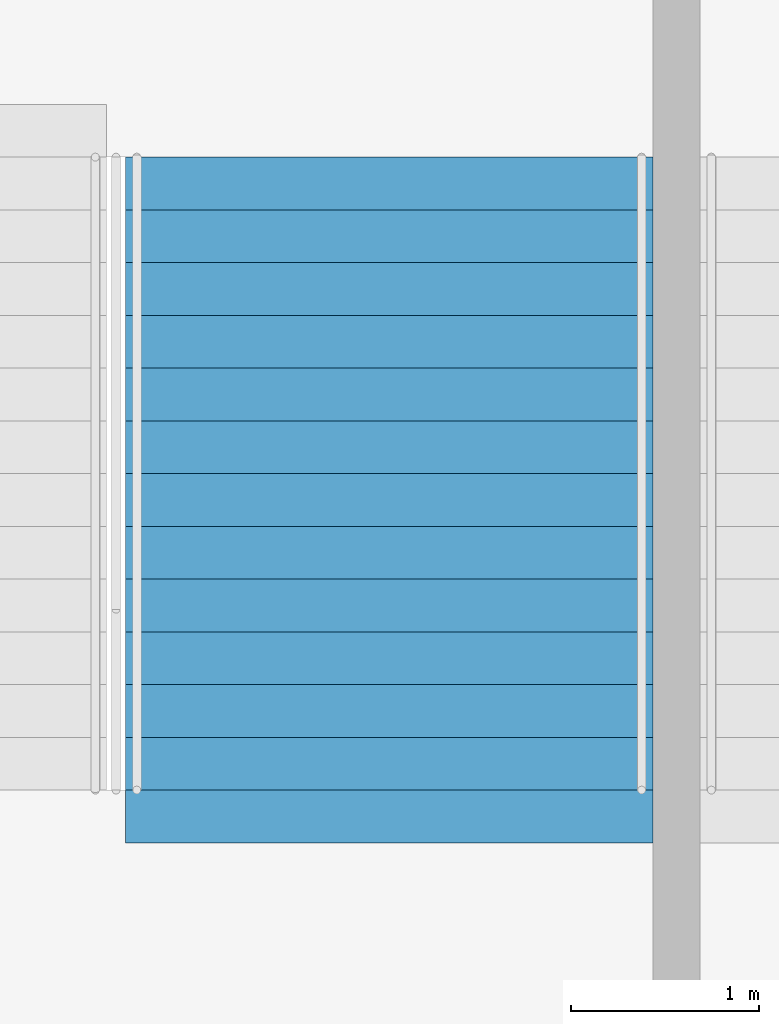
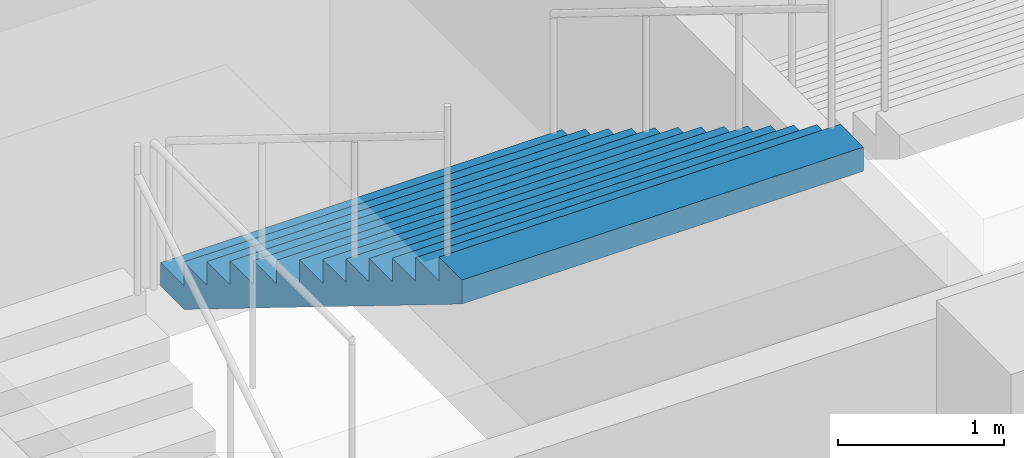
# One storey, part 145 of 177: 1 stair flight, 1 element without a shape of its own.
"""IFC4 building model written with IfcOpenShell, lengths in metres."""

from ifc_helpers import new_model, si_unit, direction, frame, origin, place, context, subcontext, project, spatial, faceted_brep, material, type_object, element, aggregate, save


model = new_model("IFC4")

# Units and contexts
model_context = context("Model", 3, precision=1e-05, world=origin(), true_north=direction((0.0, 1.0)))
body_context = subcontext(model_context, "Body", "Model", "MODEL_VIEW")
ifc_project = project(units=[si_unit("LENGTHUNIT", "METRE"), si_unit("AREAUNIT", "SQUARE_METRE"), si_unit("VOLUMEUNIT", "CUBIC_METRE"), si_unit("PLANEANGLEUNIT", "RADIAN"), si_unit("MASSUNIT", "GRAM", prefix="KILO")], contexts=[model_context])

# Site, building, storey
site_placement = place(None, origin())
site = spatial("IfcSite", under=ifc_project, at=site_placement, CompositionType="ELEMENT")
building_placement = place(site_placement, origin())
building = spatial("IfcBuilding", under=site, at=building_placement, Name="Ogive Plaza Stadium", CompositionType="ELEMENT")
storey_placement = place(building_placement, frame((0.0, 0.0, 18.0)))
storey = spatial("IfcBuildingStorey", under=building, at=storey_placement, Name="L04", CompositionType="ELEMENT", Elevation=18.0)

# Stair, stair flight
ifc_material_1 = material(Name="Concrete C40/50", Category="concrete")
stair_type = type_object("IfcStairType", Name="Exit stair", PredefinedType="STRAIGHT_RUN_STAIR", material=ifc_material_1)
stair_placement = place(storey_placement, origin())
stair = element("IfcStair", 1, at=stair_placement, inside=storey, type_object=stair_type, Name="Exit stair ST34B L04 to L05", PredefinedType="STRAIGHT_RUN_STAIR")
ifc_material_2 = material(Name="Concrete C40/50", Category="concrete")
stair_flight_type = type_object("IfcStairFlightType", Name="Exit stair flight", PredefinedType="STRAIGHT", material=ifc_material_2)
stair_flight_placement = place(storey_placement, frame((-8.324951171875, 98.2099609375, 2.25), z_axis=(0.0, 0.0, 1.0), x_axis=(0.0, -1.0, 0.0)))
stair_flight = element("IfcStairFlight", 2, at=stair_flight_placement, type_object=stair_flight_type, Name="ST34B flight 2", NumberOfRisers=13, NumberOfTreads=12, PredefinedType="STRAIGHT", RiserHeight=0.173076923, TreadLength=0.28, context=body_context, shape_type="Brep", body=[
    faceted_brep([(0.28515625, -1.39990234375, 0.0), (3.639892578125, -1.39990234375, 2.07373046875), (3.639892578125, -1.39990234375, 2.25), (3.360107421875, -1.39990234375, 2.25), (3.360107421875, -1.39990234375, 2.076904296875), (3.080078125, -1.39990234375, 2.076904296875), (3.080078125, -1.39990234375, 1.90380859375), (2.800048828125, -1.39990234375, 1.90380859375), (2.800048828125, -1.39990234375, 1.730712890625), (2.52001953125, -1.39990234375, 1.730712890625), (2.52001953125, -1.39990234375, 1.5576171875), (2.239990234375, -1.39990234375, 1.5576171875), (2.239990234375, -1.39990234375, 1.384521484375), (1.9599609375, -1.39990234375, 1.384521484375), (1.9599609375, -1.39990234375, 1.21142578125), (1.679931640625, -1.39990234375, 1.21142578125), (1.679931640625, -1.39990234375, 1.03857421875), (1.39990234375, -1.39990234375, 1.03857421875), (1.39990234375, -1.39990234375, 0.865478515625), (1.1201171875, -1.39990234375, 0.865478515625), (1.1201171875, -1.39990234375, 0.6923828125), (0.840087890625, -1.39990234375, 0.6923828125), (0.840087890625, -1.39990234375, 0.519287109375), (0.56005859375, -1.39990234375, 0.519287109375), (0.56005859375, -1.39990234375, 0.34619140625), (0.280029296875, -1.39990234375, 0.34619140625), (0.280029296875, -1.39990234375, 0.173095703125), (0.0, -1.39990234375, 0.173095703125), (0.0, -1.39990234375, 0.0), (0.0, 1.39990234375, 0.0), (0.0, 1.39990234375, 0.173095703125), (0.280029296875, 1.39990234375, 0.173095703125), (0.280029296875, 1.39990234375, 0.34619140625), (0.56005859375, 1.39990234375, 0.34619140625), (0.56005859375, 1.39990234375, 0.519287109375), (0.840087890625, 1.39990234375, 0.519287109375), (0.840087890625, 1.39990234375, 0.6923828125), (1.1201171875, 1.39990234375, 0.6923828125), (1.1201171875, 1.39990234375, 0.865478515625), (1.39990234375, 1.39990234375, 0.865478515625), (1.39990234375, 1.39990234375, 1.03857421875), (1.679931640625, 1.39990234375, 1.03857421875), (1.679931640625, 1.39990234375, 1.21142578125), (1.9599609375, 1.39990234375, 1.21142578125), (1.9599609375, 1.39990234375, 1.384521484375), (2.239990234375, 1.39990234375, 1.384521484375), (2.239990234375, 1.39990234375, 1.5576171875), (2.52001953125, 1.39990234375, 1.5576171875), (2.52001953125, 1.39990234375, 1.730712890625), (2.800048828125, 1.39990234375, 1.730712890625), (2.800048828125, 1.39990234375, 1.90380859375), (3.080078125, 1.39990234375, 1.90380859375), (3.080078125, 1.39990234375, 2.076904296875), (3.360107421875, 1.39990234375, 2.076904296875), (3.360107421875, 1.39990234375, 2.25), (3.639892578125, 1.39990234375, 2.25), (3.639892578125, 1.39990234375, 2.07373046875), (0.28515625, 1.39990234375, 0.0), (0.28515625, -1.0888671875, 0.0), (3.639892578125, -1.0888671875, 2.07373046875), (0.28515625, -0.77783203125, 0.0), (3.639892578125, -0.77783203125, 2.07373046875), (0.28515625, -0.466796875, 0.0), (3.639892578125, -0.466796875, 2.07373046875), (0.28515625, -0.155517578125, 0.0), (3.639892578125, -0.155517578125, 2.07373046875), (0.28515625, 0.155517578125, 0.0), (3.639892578125, 0.155517578125, 2.07373046875), (0.28515625, 0.466796875, 0.0), (3.639892578125, 0.466796875, 2.07373046875), (0.28515625, 0.77783203125, 0.0), (3.639892578125, 0.77783203125, 2.07373046875), (0.28515625, 1.0888671875, 0.0), (3.639892578125, 1.0888671875, 2.07373046875), (3.639892578125, -1.0888671875, 2.25), (3.639892578125, -0.77783203125, 2.25), (3.639892578125, -0.466796875, 2.25), (3.639892578125, -0.155517578125, 2.25), (3.639892578125, 0.155517578125, 2.25), (3.639892578125, 0.466796875, 2.25), (3.639892578125, 0.77783203125, 2.25), (3.639892578125, 1.0888671875, 2.25), (3.360107421875, -1.0888671875, 2.25), (3.360107421875, -0.77783203125, 2.25), (3.360107421875, -0.466796875, 2.25), (3.360107421875, -0.155517578125, 2.25), (3.360107421875, 0.155517578125, 2.25), (3.360107421875, 0.466796875, 2.25), (3.360107421875, 0.77783203125, 2.25), (3.360107421875, 1.0888671875, 2.25), (3.360107421875, -1.0888671875, 2.076904296875), (3.360107421875, -0.77783203125, 2.076904296875), (3.360107421875, -0.466796875, 2.076904296875), (3.360107421875, -0.155517578125, 2.076904296875), (3.360107421875, 0.155517578125, 2.076904296875), (3.360107421875, 0.466796875, 2.076904296875), (3.360107421875, 0.77783203125, 2.076904296875), (3.360107421875, 1.0888671875, 2.076904296875), (3.080078125, -1.0888671875, 2.076904296875), (3.080078125, -0.77783203125, 2.076904296875), (3.080078125, -0.466796875, 2.076904296875), (3.080078125, -0.155517578125, 2.076904296875), (3.080078125, 0.155517578125, 2.076904296875), (3.080078125, 0.466796875, 2.076904296875), (3.080078125, 0.77783203125, 2.076904296875), (3.080078125, 1.0888671875, 2.076904296875), (3.080078125, -1.0888671875, 1.90380859375), (3.080078125, -0.77783203125, 1.90380859375), (3.080078125, -0.466796875, 1.90380859375), (3.080078125, -0.155517578125, 1.90380859375), (3.080078125, 0.155517578125, 1.90380859375), (3.080078125, 0.466796875, 1.90380859375), (3.080078125, 0.77783203125, 1.90380859375), (3.080078125, 1.0888671875, 1.90380859375), (2.800048828125, -1.0888671875, 1.90380859375), (2.800048828125, -0.77783203125, 1.90380859375), (2.800048828125, -0.466796875, 1.90380859375), (2.800048828125, -0.155517578125, 1.90380859375), (2.800048828125, 0.155517578125, 1.90380859375), (2.800048828125, 0.466796875, 1.90380859375), (2.800048828125, 0.77783203125, 1.90380859375), (2.800048828125, 1.0888671875, 1.90380859375), (2.800048828125, -1.0888671875, 1.730712890625), (2.800048828125, -0.77783203125, 1.730712890625), (2.800048828125, -0.466796875, 1.730712890625), (2.800048828125, -0.155517578125, 1.730712890625), (2.800048828125, 0.155517578125, 1.730712890625), (2.800048828125, 0.466796875, 1.730712890625), (2.800048828125, 0.77783203125, 1.730712890625), (2.800048828125, 1.0888671875, 1.730712890625), (2.52001953125, -1.0888671875, 1.730712890625), (2.52001953125, -0.77783203125, 1.730712890625), (2.52001953125, -0.466796875, 1.730712890625), (2.52001953125, -0.155517578125, 1.730712890625), (2.52001953125, 0.155517578125, 1.730712890625), (2.52001953125, 0.466796875, 1.730712890625), (2.52001953125, 0.77783203125, 1.730712890625), (2.52001953125, 1.0888671875, 1.730712890625), (2.52001953125, -1.0888671875, 1.5576171875), (2.52001953125, -0.77783203125, 1.5576171875), (2.52001953125, -0.466796875, 1.5576171875), (2.52001953125, -0.155517578125, 1.5576171875), (2.52001953125, 0.155517578125, 1.5576171875), (2.52001953125, 0.466796875, 1.5576171875), (2.52001953125, 0.77783203125, 1.5576171875), (2.52001953125, 1.0888671875, 1.5576171875), (2.239990234375, -1.0888671875, 1.5576171875), (2.239990234375, -0.77783203125, 1.5576171875), (2.239990234375, -0.466796875, 1.5576171875), (2.239990234375, -0.155517578125, 1.5576171875), (2.239990234375, 0.155517578125, 1.5576171875), (2.239990234375, 0.466796875, 1.5576171875), (2.239990234375, 0.77783203125, 1.5576171875), (2.239990234375, 1.0888671875, 1.5576171875), (2.239990234375, -1.0888671875, 1.384521484375), (2.239990234375, -0.77783203125, 1.384521484375), (2.239990234375, -0.466796875, 1.384521484375), (2.239990234375, -0.155517578125, 1.384521484375), (2.239990234375, 0.155517578125, 1.384521484375), (2.239990234375, 0.466796875, 1.384521484375), (2.239990234375, 0.77783203125, 1.384521484375), (2.239990234375, 1.0888671875, 1.384521484375), (1.9599609375, -1.0888671875, 1.384521484375), (1.9599609375, -0.77783203125, 1.384521484375), (1.9599609375, -0.466796875, 1.384521484375), (1.9599609375, -0.155517578125, 1.384521484375), (1.9599609375, 0.155517578125, 1.384521484375), (1.9599609375, 0.466796875, 1.384521484375), (1.9599609375, 0.77783203125, 1.384521484375), (1.9599609375, 1.0888671875, 1.384521484375), (1.9599609375, -1.0888671875, 1.21142578125), (1.9599609375, -0.77783203125, 1.21142578125), (1.9599609375, -0.466796875, 1.21142578125), (1.9599609375, -0.155517578125, 1.21142578125), (1.9599609375, 0.155517578125, 1.21142578125), (1.9599609375, 0.466796875, 1.21142578125), (1.9599609375, 0.77783203125, 1.21142578125), (1.9599609375, 1.0888671875, 1.21142578125), (1.679931640625, -1.0888671875, 1.21142578125), (1.679931640625, -0.77783203125, 1.21142578125), (1.679931640625, -0.466796875, 1.21142578125), (1.679931640625, -0.155517578125, 1.21142578125), (1.679931640625, 0.155517578125, 1.21142578125), (1.679931640625, 0.466796875, 1.21142578125), (1.679931640625, 0.77783203125, 1.21142578125), (1.679931640625, 1.0888671875, 1.21142578125), (1.679931640625, -1.0888671875, 1.03857421875), (1.679931640625, -0.77783203125, 1.03857421875), (1.679931640625, -0.466796875, 1.03857421875), (1.679931640625, -0.155517578125, 1.03857421875), (1.679931640625, 0.155517578125, 1.03857421875), (1.679931640625, 0.466796875, 1.03857421875), (1.679931640625, 0.77783203125, 1.03857421875), (1.679931640625, 1.0888671875, 1.03857421875), (1.39990234375, -1.0888671875, 1.03857421875), (1.39990234375, -0.77783203125, 1.03857421875), (1.39990234375, -0.466796875, 1.03857421875), (1.39990234375, -0.155517578125, 1.03857421875), (1.39990234375, 0.155517578125, 1.03857421875), (1.39990234375, 0.466796875, 1.03857421875), (1.39990234375, 0.77783203125, 1.03857421875), (1.39990234375, 1.0888671875, 1.03857421875), (1.39990234375, -1.0888671875, 0.865478515625), (1.39990234375, -0.77783203125, 0.865478515625), (1.39990234375, -0.466796875, 0.865478515625), (1.39990234375, -0.155517578125, 0.865478515625), (1.39990234375, 0.155517578125, 0.865478515625), (1.39990234375, 0.466796875, 0.865478515625), (1.39990234375, 0.77783203125, 0.865478515625), (1.39990234375, 1.0888671875, 0.865478515625), (1.1201171875, -1.0888671875, 0.865478515625), (1.1201171875, -0.77783203125, 0.865478515625), (1.1201171875, -0.466796875, 0.865478515625), (1.1201171875, -0.155517578125, 0.865478515625), (1.1201171875, 0.155517578125, 0.865478515625), (1.1201171875, 0.466796875, 0.865478515625), (1.1201171875, 0.77783203125, 0.865478515625), (1.1201171875, 1.0888671875, 0.865478515625), (1.1201171875, -1.0888671875, 0.6923828125), (1.1201171875, -0.77783203125, 0.6923828125), (1.1201171875, -0.466796875, 0.6923828125), (1.1201171875, -0.155517578125, 0.6923828125), (1.1201171875, 0.155517578125, 0.6923828125), (1.1201171875, 0.466796875, 0.6923828125), (1.1201171875, 0.77783203125, 0.6923828125), (1.1201171875, 1.0888671875, 0.6923828125), (0.840087890625, -1.0888671875, 0.6923828125), (0.840087890625, -0.77783203125, 0.6923828125), (0.840087890625, -0.466796875, 0.6923828125), (0.840087890625, -0.155517578125, 0.6923828125), (0.840087890625, 0.155517578125, 0.6923828125), (0.840087890625, 0.466796875, 0.6923828125), (0.840087890625, 0.77783203125, 0.6923828125), (0.840087890625, 1.0888671875, 0.6923828125), (0.840087890625, -1.0888671875, 0.519287109375), (0.840087890625, -0.77783203125, 0.519287109375), (0.840087890625, -0.466796875, 0.519287109375), (0.840087890625, -0.155517578125, 0.519287109375), (0.840087890625, 0.155517578125, 0.519287109375), (0.840087890625, 0.466796875, 0.519287109375), (0.840087890625, 0.77783203125, 0.519287109375), (0.840087890625, 1.0888671875, 0.519287109375), (0.56005859375, -1.0888671875, 0.519287109375), (0.56005859375, -0.77783203125, 0.519287109375), (0.56005859375, -0.466796875, 0.519287109375), (0.56005859375, -0.155517578125, 0.519287109375), (0.56005859375, 0.155517578125, 0.519287109375), (0.56005859375, 0.466796875, 0.519287109375), (0.56005859375, 0.77783203125, 0.519287109375), (0.56005859375, 1.0888671875, 0.519287109375), (0.56005859375, -1.0888671875, 0.34619140625), (0.56005859375, -0.77783203125, 0.34619140625), (0.56005859375, -0.466796875, 0.34619140625), (0.56005859375, -0.155517578125, 0.34619140625), (0.56005859375, 0.155517578125, 0.34619140625), (0.56005859375, 0.466796875, 0.34619140625), (0.56005859375, 0.77783203125, 0.34619140625), (0.56005859375, 1.0888671875, 0.34619140625), (0.280029296875, -1.0888671875, 0.34619140625), (0.280029296875, -0.77783203125, 0.34619140625), (0.280029296875, -0.466796875, 0.34619140625), (0.280029296875, -0.155517578125, 0.34619140625), (0.280029296875, 0.155517578125, 0.34619140625), (0.280029296875, 0.466796875, 0.34619140625), (0.280029296875, 0.77783203125, 0.34619140625), (0.280029296875, 1.0888671875, 0.34619140625), (0.280029296875, -1.0888671875, 0.173095703125), (0.280029296875, -0.77783203125, 0.173095703125), (0.280029296875, -0.466796875, 0.173095703125), (0.280029296875, -0.155517578125, 0.173095703125), (0.280029296875, 0.155517578125, 0.173095703125), (0.280029296875, 0.466796875, 0.173095703125), (0.280029296875, 0.77783203125, 0.173095703125), (0.280029296875, 1.0888671875, 0.173095703125), (0.0, -1.0888671875, 0.173095703125), (0.0, -0.77783203125, 0.173095703125), (0.0, -0.466796875, 0.173095703125), (0.0, -0.155517578125, 0.173095703125), (0.0, 0.155517578125, 0.173095703125), (0.0, 0.466796875, 0.173095703125), (0.0, 0.77783203125, 0.173095703125), (0.0, 1.0888671875, 0.173095703125), (0.0, -1.0888671875, 0.0), (0.0, -0.77783203125, 0.0), (0.0, -0.466796875, 0.0), (0.0, -0.155517578125, 0.0), (0.0, 0.155517578125, 0.0), (0.0, 0.466796875, 0.0), (0.0, 0.77783203125, 0.0), (0.0, 1.0888671875, 0.0)], [[[0, 1, 2, 3, 4, 5, 6, 7, 8, 9, 10, 11, 12, 13, 14, 15, 16, 17, 18, 19, 20, 21, 22, 23, 24, 25, 26, 27, 28]], [[29, 30, 31, 32, 33, 34, 35, 36, 37, 38, 39, 40, 41, 42, 43, 44, 45, 46, 47, 48, 49, 50, 51, 52, 53, 54, 55, 56, 57]], [[0, 58, 59, 1]], [[58, 60, 61, 59]], [[60, 62, 63, 61]], [[62, 64, 65, 63]], [[64, 66, 67, 65]], [[66, 68, 69, 67]], [[68, 70, 71, 69]], [[70, 72, 73, 71]], [[72, 57, 56, 73]], [[1, 59, 74, 2]], [[59, 61, 75, 74]], [[61, 63, 76, 75]], [[63, 65, 77, 76]], [[65, 67, 78, 77]], [[67, 69, 79, 78]], [[69, 71, 80, 79]], [[71, 73, 81, 80]], [[73, 56, 55, 81]], [[2, 74, 82, 3]], [[74, 75, 83, 82]], [[75, 76, 84, 83]], [[76, 77, 85, 84]], [[77, 78, 86, 85]], [[78, 79, 87, 86]], [[79, 80, 88, 87]], [[80, 81, 89, 88]], [[81, 55, 54, 89]], [[3, 82, 90, 4]], [[82, 83, 91, 90]], [[83, 84, 92, 91]], [[84, 85, 93, 92]], [[85, 86, 94, 93]], [[86, 87, 95, 94]], [[87, 88, 96, 95]], [[88, 89, 97, 96]], [[89, 54, 53, 97]], [[4, 90, 98, 5]], [[90, 91, 99, 98]], [[91, 92, 100, 99]], [[92, 93, 101, 100]], [[93, 94, 102, 101]], [[94, 95, 103, 102]], [[95, 96, 104, 103]], [[96, 97, 105, 104]], [[97, 53, 52, 105]], [[5, 98, 106, 6]], [[98, 99, 107, 106]], [[99, 100, 108, 107]], [[100, 101, 109, 108]], [[101, 102, 110, 109]], [[102, 103, 111, 110]], [[103, 104, 112, 111]], [[104, 105, 113, 112]], [[105, 52, 51, 113]], [[6, 106, 114, 7]], [[106, 107, 115, 114]], [[107, 108, 116, 115]], [[108, 109, 117, 116]], [[109, 110, 118, 117]], [[110, 111, 119, 118]], [[111, 112, 120, 119]], [[112, 113, 121, 120]], [[113, 51, 50, 121]], [[7, 114, 122, 8]], [[114, 115, 123, 122]], [[115, 116, 124, 123]], [[116, 117, 125, 124]], [[117, 118, 126, 125]], [[118, 119, 127, 126]], [[119, 120, 128, 127]], [[120, 121, 129, 128]], [[121, 50, 49, 129]], [[8, 122, 130, 9]], [[122, 123, 131, 130]], [[123, 124, 132, 131]], [[124, 125, 133, 132]], [[125, 126, 134, 133]], [[126, 127, 135, 134]], [[127, 128, 136, 135]], [[128, 129, 137, 136]], [[129, 49, 48, 137]], [[9, 130, 138, 10]], [[130, 131, 139, 138]], [[131, 132, 140, 139]], [[132, 133, 141, 140]], [[133, 134, 142, 141]], [[134, 135, 143, 142]], [[135, 136, 144, 143]], [[136, 137, 145, 144]], [[137, 48, 47, 145]], [[10, 138, 146, 11]], [[138, 139, 147, 146]], [[139, 140, 148, 147]], [[140, 141, 149, 148]], [[141, 142, 150, 149]], [[142, 143, 151, 150]], [[143, 144, 152, 151]], [[144, 145, 153, 152]], [[145, 47, 46, 153]], [[11, 146, 154, 12]], [[146, 147, 155, 154]], [[147, 148, 156, 155]], [[148, 149, 157, 156]], [[149, 150, 158, 157]], [[150, 151, 159, 158]], [[151, 152, 160, 159]], [[152, 153, 161, 160]], [[153, 46, 45, 161]], [[12, 154, 162, 13]], [[154, 155, 163, 162]], [[155, 156, 164, 163]], [[156, 157, 165, 164]], [[157, 158, 166, 165]], [[158, 159, 167, 166]], [[159, 160, 168, 167]], [[160, 161, 169, 168]], [[161, 45, 44, 169]], [[13, 162, 170, 14]], [[162, 163, 171, 170]], [[163, 164, 172, 171]], [[164, 165, 173, 172]], [[165, 166, 174, 173]], [[166, 167, 175, 174]], [[167, 168, 176, 175]], [[168, 169, 177, 176]], [[169, 44, 43, 177]], [[14, 170, 178, 15]], [[170, 171, 179, 178]], [[171, 172, 180, 179]], [[172, 173, 181, 180]], [[173, 174, 182, 181]], [[174, 175, 183, 182]], [[175, 176, 184, 183]], [[176, 177, 185, 184]], [[177, 43, 42, 185]], [[15, 178, 186, 16]], [[178, 179, 187, 186]], [[179, 180, 188, 187]], [[180, 181, 189, 188]], [[181, 182, 190, 189]], [[182, 183, 191, 190]], [[183, 184, 192, 191]], [[184, 185, 193, 192]], [[185, 42, 41, 193]], [[16, 186, 194, 17]], [[186, 187, 195, 194]], [[187, 188, 196, 195]], [[188, 189, 197, 196]], [[189, 190, 198, 197]], [[190, 191, 199, 198]], [[191, 192, 200, 199]], [[192, 193, 201, 200]], [[193, 41, 40, 201]], [[17, 194, 202, 18]], [[194, 195, 203, 202]], [[195, 196, 204, 203]], [[196, 197, 205, 204]], [[197, 198, 206, 205]], [[198, 199, 207, 206]], [[199, 200, 208, 207]], [[200, 201, 209, 208]], [[201, 40, 39, 209]], [[18, 202, 210, 19]], [[202, 203, 211, 210]], [[203, 204, 212, 211]], [[204, 205, 213, 212]], [[205, 206, 214, 213]], [[206, 207, 215, 214]], [[207, 208, 216, 215]], [[208, 209, 217, 216]], [[209, 39, 38, 217]], [[19, 210, 218, 20]], [[210, 211, 219, 218]], [[211, 212, 220, 219]], [[212, 213, 221, 220]], [[213, 214, 222, 221]], [[214, 215, 223, 222]], [[215, 216, 224, 223]], [[216, 217, 225, 224]], [[217, 38, 37, 225]], [[20, 218, 226, 21]], [[218, 219, 227, 226]], [[219, 220, 228, 227]], [[220, 221, 229, 228]], [[221, 222, 230, 229]], [[222, 223, 231, 230]], [[223, 224, 232, 231]], [[224, 225, 233, 232]], [[225, 37, 36, 233]], [[21, 226, 234, 22]], [[226, 227, 235, 234]], [[227, 228, 236, 235]], [[228, 229, 237, 236]], [[229, 230, 238, 237]], [[230, 231, 239, 238]], [[231, 232, 240, 239]], [[232, 233, 241, 240]], [[233, 36, 35, 241]], [[22, 234, 242, 23]], [[234, 235, 243, 242]], [[235, 236, 244, 243]], [[236, 237, 245, 244]], [[237, 238, 246, 245]], [[238, 239, 247, 246]], [[239, 240, 248, 247]], [[240, 241, 249, 248]], [[241, 35, 34, 249]], [[23, 242, 250, 24]], [[242, 243, 251, 250]], [[243, 244, 252, 251]], [[244, 245, 253, 252]], [[245, 246, 254, 253]], [[246, 247, 255, 254]], [[247, 248, 256, 255]], [[248, 249, 257, 256]], [[249, 34, 33, 257]], [[24, 250, 258, 25]], [[250, 251, 259, 258]], [[251, 252, 260, 259]], [[252, 253, 261, 260]], [[253, 254, 262, 261]], [[254, 255, 263, 262]], [[255, 256, 264, 263]], [[256, 257, 265, 264]], [[257, 33, 32, 265]], [[25, 258, 266, 26]], [[258, 259, 267, 266]], [[259, 260, 268, 267]], [[260, 261, 269, 268]], [[261, 262, 270, 269]], [[262, 263, 271, 270]], [[263, 264, 272, 271]], [[264, 265, 273, 272]], [[265, 32, 31, 273]], [[26, 266, 274, 27]], [[266, 267, 275, 274]], [[267, 268, 276, 275]], [[268, 269, 277, 276]], [[269, 270, 278, 277]], [[270, 271, 279, 278]], [[271, 272, 280, 279]], [[272, 273, 281, 280]], [[273, 31, 30, 281]], [[27, 274, 282, 28]], [[274, 275, 283, 282]], [[275, 276, 284, 283]], [[276, 277, 285, 284]], [[277, 278, 286, 285]], [[278, 279, 287, 286]], [[279, 280, 288, 287]], [[280, 281, 289, 288]], [[281, 30, 29, 289]], [[28, 282, 58, 0]], [[282, 283, 60, 58]], [[283, 284, 62, 60]], [[284, 285, 64, 62]], [[285, 286, 66, 64]], [[286, 287, 68, 66]], [[287, 288, 70, 68]], [[288, 289, 72, 70]], [[289, 29, 57, 72]]]),
])
aggregate(stair, [stair_flight])

save(model, "model.ifc")
